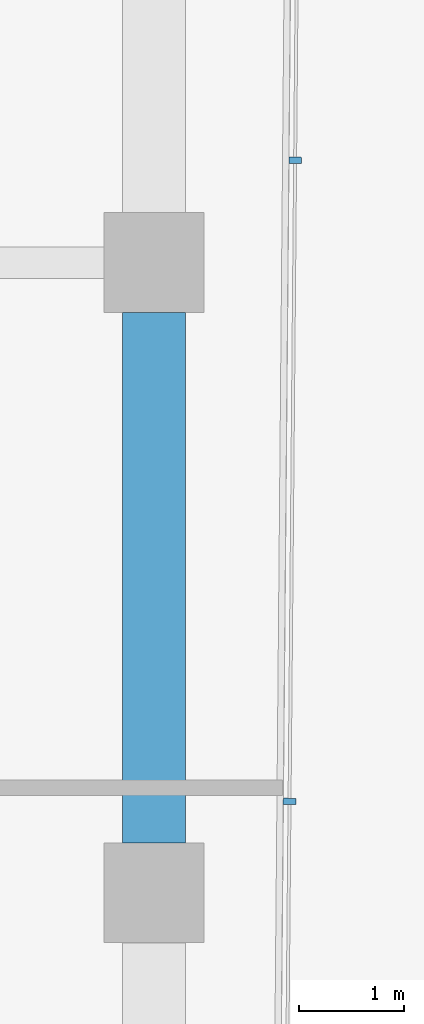
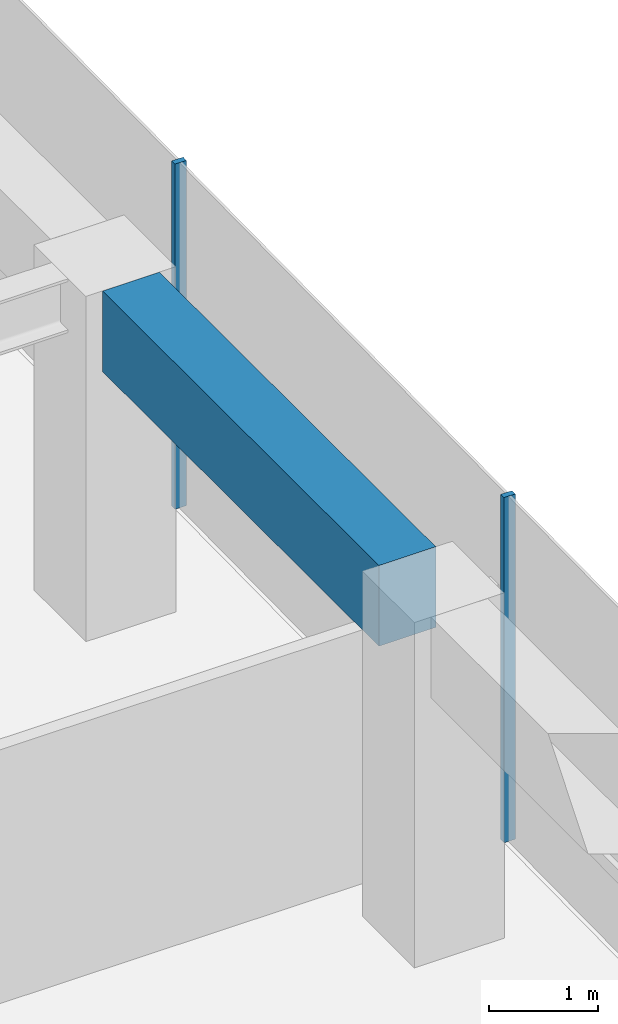
# One storey, part 19 of 29: 2 members, 1 beam, 1 element without a shape of its own.
"""IFC4 building model written with IfcOpenShell, lengths in metres."""

from ifc_helpers import new_model, si_unit, direction, frame, origin, origin_2d, place, context, subcontext, project, spatial, rectangle, extrude, material, layer, layer_set, material_profile, profile_set, type_object, element, aggregate, save


model = new_model("IFC4")

# Units and contexts
model_context = context("Model", 3, precision=1e-05, world=origin(), true_north=direction((0.0, 1.0)))
body_context = subcontext(model_context, "Body", "Model", "MODEL_VIEW")
ifc_project = project(units=[si_unit("LENGTHUNIT", "METRE"), si_unit("AREAUNIT", "SQUARE_METRE"), si_unit("VOLUMEUNIT", "CUBIC_METRE"), si_unit("PLANEANGLEUNIT", "RADIAN"), si_unit("MASSUNIT", "GRAM", prefix="KILO")], contexts=[model_context])

# Site, building, storey
site_placement = place(None, origin())
site = spatial("IfcSite", under=ifc_project, at=site_placement, CompositionType="ELEMENT")
building_placement = place(site_placement, origin())
building = spatial("IfcBuilding", under=site, at=building_placement, Name="Welwitschia Terrace Campus", CompositionType="ELEMENT")
storey_placement = place(building_placement, frame((0.0, 0.0, 50.0)))
storey = spatial("IfcBuildingStorey", under=building, at=storey_placement, Name="L11", CompositionType="ELEMENT", Elevation=50.0)

# Curtain wall, members
ifc_material_1 = material(Name="Bronze anodised aluminium", Category="aluminium")
ifc_layer = layer(ifc_material_1, 0.1201171875)
ifc_layer_set = layer_set([ifc_layer], Name="Bronze anodised aluminium")
curtain_wall_type = type_object("IfcCurtainWallType", Name="Curtain wall CW2 tower 6000", PredefinedType="NOTDEFINED", material=ifc_layer_set)
curtain_wall_placement = place(storey_placement, origin())
curtain_wall = element("IfcCurtainWall", 1, at=curtain_wall_placement, inside=storey, type_object=curtain_wall_type, Name="CW L11.8.0", PredefinedType="NOTDEFINED")
ifc_material_2 = material(Name="Bronze anodised aluminium", Category="aluminium")
ifc_material_profile_1 = material_profile(ifc_material_2, rectangle(XDim=0.1201171875, YDim=0.06005859375, at=origin_2d()))
ifc_profile_set_1 = profile_set([ifc_material_profile_1], Name="Bronze anodised aluminium")
member_type = type_object("IfcMemberType", Name="Mullion 60x120", PredefinedType="MULLION", material=ifc_profile_set_1)
member_1_placement = place(storey_placement, frame((25.2900390625, 50.8701171875, 0.0), z_axis=(0.0, 0.0, 1.0), x_axis=(-0.999961923064, 0.008726535498, 0.0)))
member_1 = element("IfcMember", 2, at=member_1_placement, type_object=member_type, Name="Mullion L11.8.0.4", PredefinedType="MULLION", context=body_context, shape_type="SweptSolid", body=[
    extrude(rectangle(XDim=0.1201171875, YDim=0.06005859375, at=origin_2d()), origin(), (0.0, 0.0, 1.0), 3.85009765625),
])
member_2_placement = place(storey_placement, frame((25.34326171875, 56.97314453125, 0.0), z_axis=(0.0, 0.0, 1.0), x_axis=(-0.999961923064, 0.008726535498, 0.0)))
member_2 = element("IfcMember", 3, at=member_2_placement, type_object=member_type, Name="Mullion L11.8.0.5", PredefinedType="MULLION", context=body_context, shape_type="SweptSolid", body=[
    extrude(rectangle(XDim=0.1201171875, YDim=0.06005859375, at=origin_2d()), origin(), (0.0, 0.0, 1.0), 3.85009765625),
])
aggregate(curtain_wall, [member_1, member_2])

# Beam
ifc_material_3 = material(Name="Concrete C60/75", Category="concrete")
ifc_material_profile_2 = material_profile(ifc_material_3, rectangle(XDim=0.60009765625, YDim=0.89990234375, at=origin_2d()))
ifc_profile_set_2 = profile_set([ifc_material_profile_2], Name="Concrete C60/75")
beam_type = type_object("IfcBeamType", Name="Ring spandrel 600x900", PredefinedType="SPANDREL", material=ifc_profile_set_2)
beam_placement = place(storey_placement, frame((24.0, 50.4755859375, 3.39990234375), z_axis=(0.0, 1.0, 0.0), x_axis=(-1.0, 0.0, 0.0)))
element("IfcBeam", 4, at=beam_placement, inside=storey, type_object=beam_type, Name="Spandrel SP2", PredefinedType="SPANDREL", context=body_context, shape_type="SweptSolid", body=[
    extrude(rectangle(XDim=0.60009765625, YDim=0.89990234375, at=origin_2d()), origin(), (0.0, 0.0, 1.0), 5.048828125),
])

save(model, "model.ifc")
